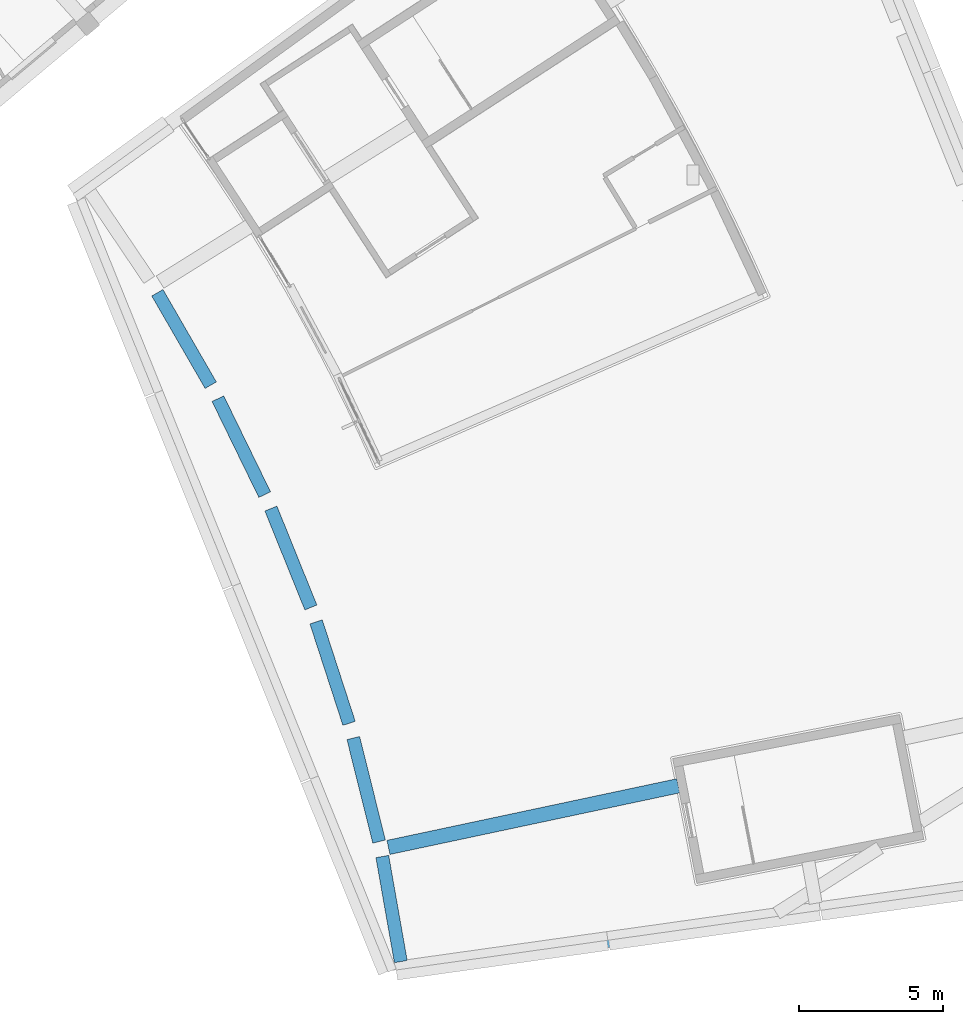
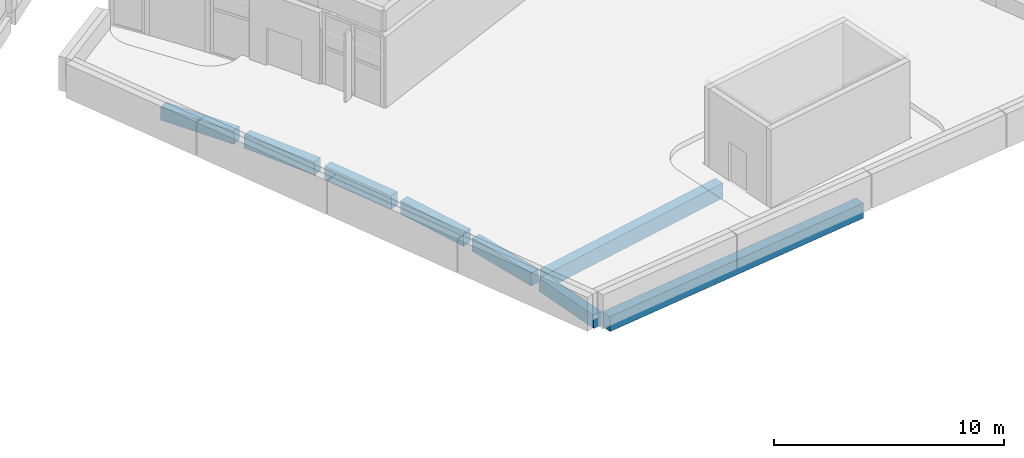
# One storey, part 44 of 132: 8 beams.
"""IFC4 building model written with IfcOpenShell, lengths in metres."""

from ifc_helpers import new_model, si_unit, direction, frame, origin, origin_2d, place, context, subcontext, project, spatial, rectangle, extrude, material, material_profile, profile_set, type_object, element, save


model = new_model("IFC4")

# Units and contexts
model_context = context("Model", 3, precision=1e-05, world=origin(), true_north=direction((0.0, 1.0)))
body_context = subcontext(model_context, "Body", "Model", "MODEL_VIEW")
ifc_project = project(units=[si_unit("LENGTHUNIT", "METRE"), si_unit("AREAUNIT", "SQUARE_METRE"), si_unit("VOLUMEUNIT", "CUBIC_METRE"), si_unit("PLANEANGLEUNIT", "RADIAN"), si_unit("MASSUNIT", "GRAM", prefix="KILO")], contexts=[model_context])

# Site, building, storey
site_placement = place(None, origin())
site = spatial("IfcSite", under=ifc_project, at=site_placement, CompositionType="ELEMENT")
building_placement = place(site_placement, origin())
building = spatial("IfcBuilding", under=site, at=building_placement, Name="Lunette Opera House", CompositionType="ELEMENT")
storey_placement = place(building_placement, frame((0.0, 0.0, 17.0)))
storey = spatial("IfcBuildingStorey", under=building, at=storey_placement, Name="L03", CompositionType="ELEMENT", Elevation=17.0)

# Beams
ifc_material_1 = material(Name="Concrete C35/45", Category="concrete")
ifc_material_profile_1 = material_profile(ifc_material_1, rectangle(XDim=0.449951171875, YDim=0.699951171875, at=origin_2d()), Name="RC BEAM 450X700")
ifc_profile_set_1 = profile_set([ifc_material_profile_1], Name="Concrete C35/45")
beam_type_1 = type_object("IfcBeamType", Name="RC BEAM 450X700", PredefinedType="BEAM", material=ifc_profile_set_1)
beam_1_placement = place(storey_placement, frame((147.43896484375, 31.8310546875, -0.64990234375), z_axis=(0.50011347935, -0.865959876537, 0.0), x_axis=(0.865959876537, 0.50011347935, 0.0)))
element("IfcBeam", 1, at=beam_1_placement, inside=storey, type_object=beam_type_1, Name="beam-SB-L03-L03G-RG01", PredefinedType="BEAM", context=body_context, shape_type="SweptSolid", body=[
    extrude(rectangle(XDim=0.449951171875, YDim=0.699951171875, at=origin_2d()), origin(), (0.0, 0.0, 1.0), 3.693115234375),
])
for number, where, z_axis, x_axis, name in (
    (2, (149.533935546875, 28.1650390625, -0.64990234375), (0.438439261918, -0.898760821136, 0.0), (0.898760821136, 0.438439261918, 0.0), "beam-SB-L03-L03G-RG02"),
    (3, (151.368896484375, 24.362060546875, -0.64990234375), (0.374523169532, -0.927217555638, 0.0), (0.927217555638, 0.374523169532, 0.0), "beam-SB-L03-L03G-RG03"),
):
    element("IfcBeam", number, at=place(storey_placement, frame(where, z_axis=z_axis, x_axis=x_axis)), inside=storey, type_object=beam_type_1, Name=name, PredefinedType="BEAM", context=body_context, shape_type="SweptSolid", body=[
        extrude(rectangle(XDim=0.449951171875, YDim=0.699951171875, at=origin_2d()), origin(), (0.0, 0.0, 1.0), 3.69287109375),
    ])
beam_2_placement = place(storey_placement, frame((152.93310546875, 20.43994140625, -0.64990234375), z_axis=(0.30895899574, -0.951075359239, 0.0), x_axis=(0.951075359239, 0.30895899574, 0.0)))
element("IfcBeam", 4, at=beam_2_placement, inside=storey, type_object=beam_type_1, Name="beam-SB-L03-L03G-RG04", PredefinedType="BEAM", context=body_context, shape_type="SweptSolid", body=[
    extrude(rectangle(XDim=0.449951171875, YDim=0.699951171875, at=origin_2d()), origin(), (0.0, 0.0, 1.0), 3.692626953125),
])
beam_3_placement = place(storey_placement, frame((154.219970703125, 16.4189453125, -0.64990234375), z_axis=(0.242100042961, -0.970251291779, 0.0), x_axis=(0.970251291779, 0.242100042961, 0.0)))
element("IfcBeam", 5, at=beam_3_placement, inside=storey, type_object=beam_type_1, Name="beam-SB-L03-L03G-RG05", PredefinedType="BEAM", context=body_context, shape_type="SweptSolid", body=[
    extrude(rectangle(XDim=0.449951171875, YDim=0.699951171875, at=origin_2d()), origin(), (0.0, 0.0, 1.0), 3.69287109375),
])
beam_4_placement = place(storey_placement, frame((155.22412109375, 12.318115234375, -0.64990234375), z_axis=(0.173525123343, -0.984829442883, 0.0), x_axis=(0.984829442883, 0.173525123343, 0.0)))
element("IfcBeam", 6, at=beam_4_placement, inside=storey, type_object=beam_type_1, Name="beam-SB-L03-L03G-RG06", PredefinedType="BEAM", context=body_context, shape_type="SweptSolid", body=[
    extrude(rectangle(XDim=0.449951171875, YDim=0.699951171875, at=origin_2d()), origin(), (0.0, 0.0, 1.0), 3.693115234375),
])
ifc_material_2 = material(Name="Concrete C35/45", Category="concrete")
ifc_material_profile_2 = material_profile(ifc_material_2, rectangle(XDim=0.5, YDim=0.800048828125, at=origin_2d()), Name="RC BEAM 500X800")
ifc_profile_set_2 = profile_set([ifc_material_profile_2], Name="Concrete C35/45")
beam_type_2 = type_object("IfcBeamType", Name="RC BEAM 500X800", PredefinedType="BEAM", material=ifc_profile_set_2)
beam_5_placement = place(storey_placement, frame((155.43701171875, 12.634033203125, -0.699951171875), z_axis=(0.978153224156, 0.207885232936, 0.0), x_axis=(-0.207885232936, 0.978153224156, 0.0)))
element("IfcBeam", 7, at=beam_5_placement, inside=storey, type_object=beam_type_2, Name="beam-SB-L03-L03G-RB06", PredefinedType="BEAM", context=body_context, shape_type="SweptSolid", body=[
    extrude(rectangle(XDim=0.5, YDim=0.800048828125, at=origin_2d()), origin(), (0.0, 0.0, 1.0), 10.256103515625),
])
beam_6_placement = place(storey_placement, frame((156.174072265625, 8.45703125, -0.699951171875), z_axis=(0.990271936144, 0.139145580185, 0.0), x_axis=(-0.139145580185, 0.990271936144, 0.0)))
element("IfcBeam", 8, at=beam_6_placement, inside=storey, type_object=beam_type_2, Name="beam-SB-L03-L03G-RB07", PredefinedType="BEAM", context=body_context, shape_type="SweptSolid", body=[
    extrude(rectangle(XDim=0.5, YDim=0.800048828125, at=origin_2d()), origin(), (0.0, 0.0, 1.0), 13.969970703125),
])

save(model, "model.ifc")
